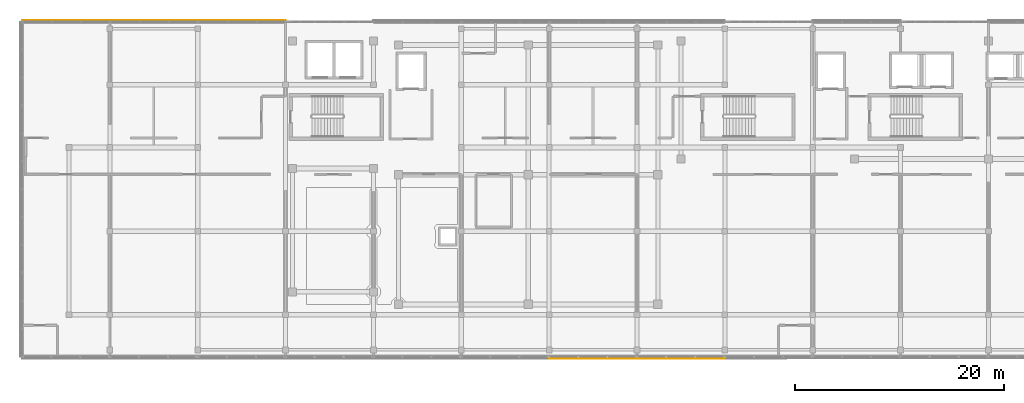
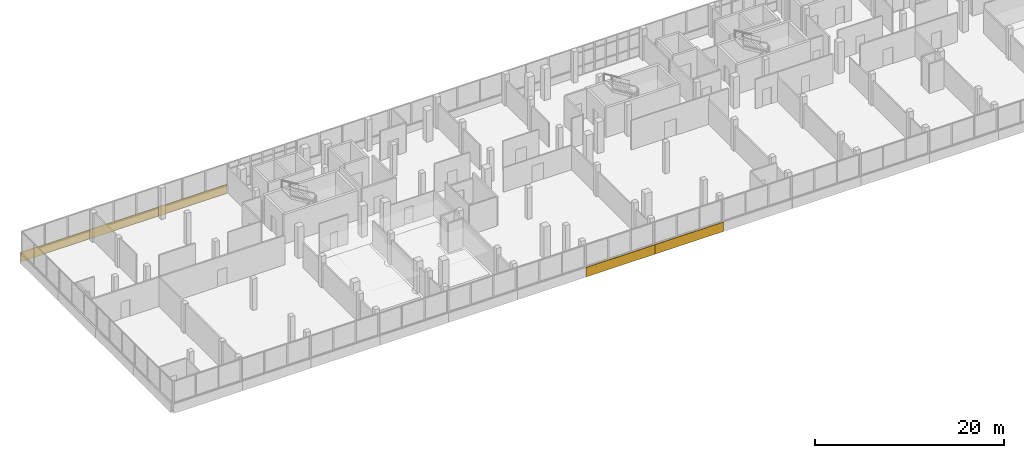
# One storey, part 62 of 66: 5 coverings.
"""IFC4 building model written with IfcOpenShell, lengths in metres."""

from ifc_helpers import new_model, si_unit, direction, frame, origin, origin_2d, place, context, subcontext, project, spatial, rectangle, extrude, material, layer, layer_set, type_object, element, save


model = new_model("IFC4")

# Units and contexts
model_context = context("Model", 3, precision=1e-05, world=origin(), true_north=direction((0.0, 1.0)))
body_context = subcontext(model_context, "Body", "Model", "MODEL_VIEW")
ifc_project = project(units=[si_unit("LENGTHUNIT", "METRE"), si_unit("AREAUNIT", "SQUARE_METRE"), si_unit("VOLUMEUNIT", "CUBIC_METRE"), si_unit("PLANEANGLEUNIT", "RADIAN"), si_unit("MASSUNIT", "GRAM", prefix="KILO")], contexts=[model_context])

# Site, building, storey
site_placement = place(None, origin())
site = spatial("IfcSite", under=ifc_project, at=site_placement, CompositionType="ELEMENT")
building_placement = place(site_placement, origin())
building = spatial("IfcBuilding", under=site, at=building_placement, Name="Selatvlak General Hospital", CompositionType="ELEMENT")
storey_placement = place(building_placement, frame((0.0, 0.0, 31.35009765625)))
storey = spatial("IfcBuildingStorey", under=building, at=storey_placement, Name="L07", CompositionType="ELEMENT", Elevation=31.35009765625)

# Coverings
ifc_material = material(Name="White Bauhaus fair-faced cladding panel")
ifc_layer = layer(ifc_material, 0.054931640625, Name="White Bauhaus fair-faced cladding panel")
ifc_layer_set = layer_set([ifc_layer], Name="White Bauhaus fair-faced cladding panel")
covering_type = type_object("IfcCoveringType", Name="COV-WHT1", PredefinedType="CLADDING", material=ifc_layer_set)
for number, where, z_axis, x_axis, name in (
    (1, (27.0, 120.1640625, -0.2802734375), (0.0, 0.0, 1.0), (1.0, 0.0, 0.0), "L07 Bauhaus horizontal white spandrel band 0497"),
    (2, (35.39990234375, 120.1640625, -0.2802734375), (0.0, 0.0, 1.0), (1.0, 0.0, 0.0), "L07 Bauhaus horizontal white spandrel band 0498"),
    (3, (43.800048828125, 120.1640625, -0.2802734375), (0.0, 0.0, 1.0), (1.0, 0.0, 0.0), "L07 Bauhaus horizontal white spandrel band 0499"),
    (4, (85.800048828125, 87.8349609375, -0.2802734375), (0.0, 0.0, 1.0), (-1.0, 0.0, 0.0), "L07 Bauhaus horizontal white spandrel band 0526"),
    (5, (77.39990234375, 87.8349609375, -0.2802734375), (0.0, 0.0, 1.0), (-1.0, 0.0, 0.0), "L07 Bauhaus horizontal white spandrel band 0527"),
):
    element("IfcCovering", number, at=place(storey_placement, frame(where, z_axis=z_axis, x_axis=x_axis)), inside=storey, type_object=covering_type, Name=name, PredefinedType="CLADDING", context=body_context, shape_type="SweptSolid", body=[
        extrude(rectangle(XDim=8.39990234375, YDim=0.054931640625, at=origin_2d()), origin(), (0.0, 0.0, 1.0), 1.219970703125),
    ])

save(model, "model.ifc")
